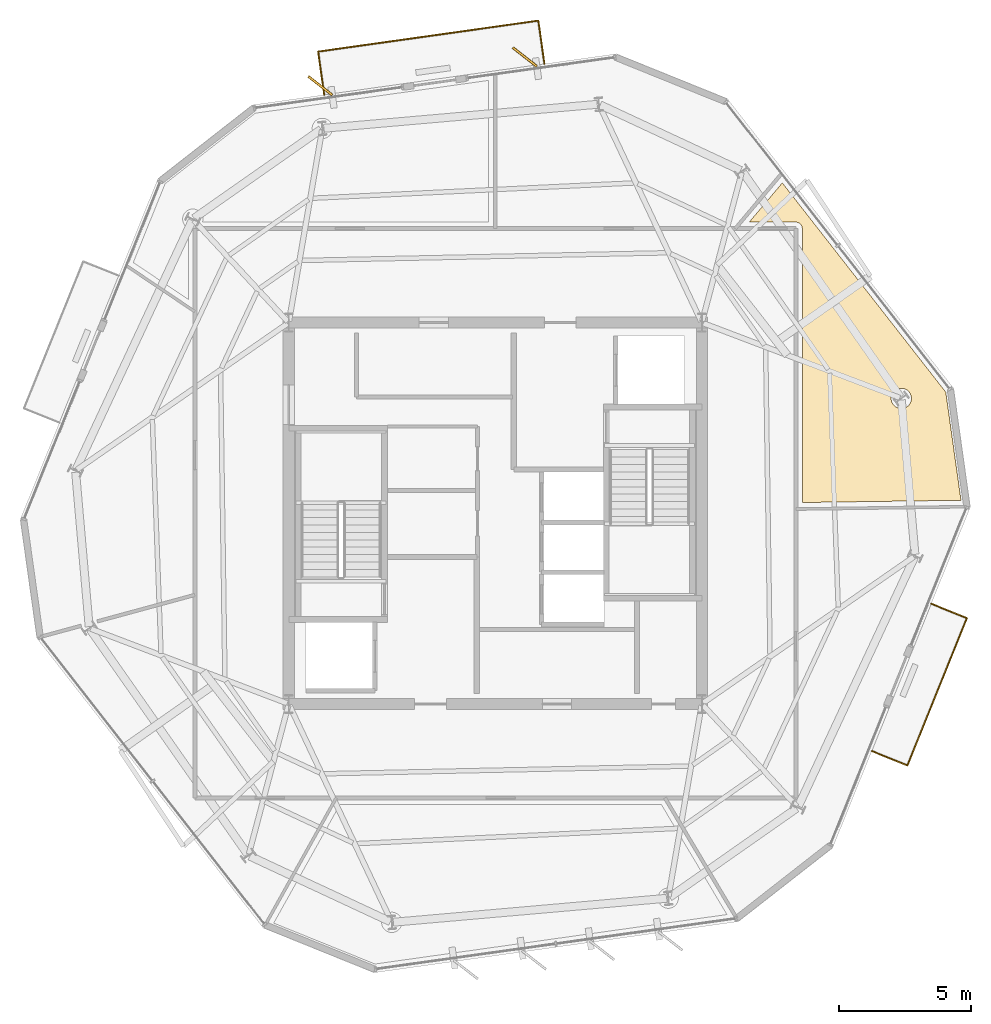
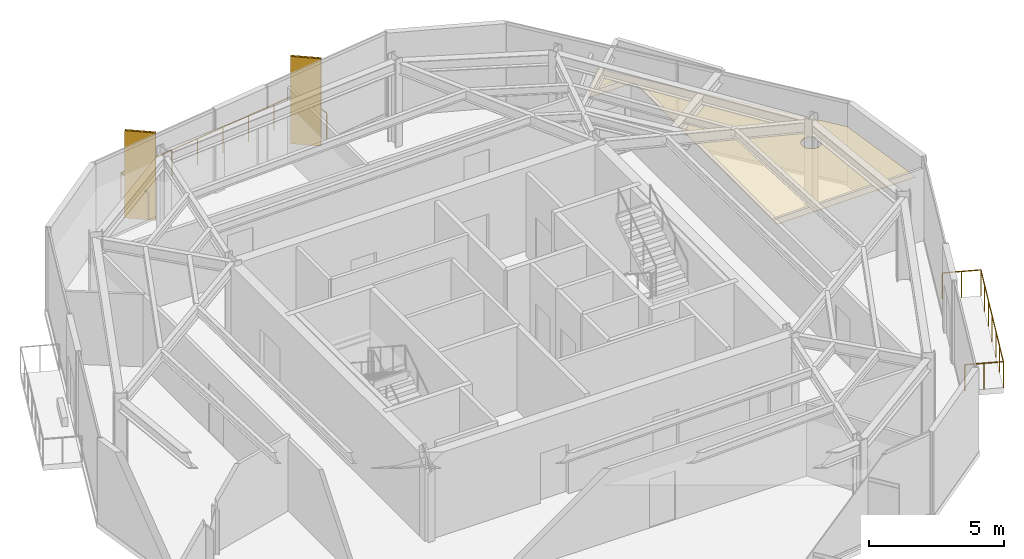
# One storey, part 11 of 11: 3 coverings, 2 railings, 2 shading devices.
"""IFC4 building model written with IfcOpenShell, lengths in metres."""

import ifcopenshell
import ifcopenshell.guid

model = None  # the IFC model being written
_history = None  # IfcOwnerHistory: only IFC2X3 demands one
_inside = {}  # id of a spatial element -> (the spatial element, [elements in it])
_under = {}  # id of a project, library or spatial element -> (it, [spatial elements below it])
_declared = {}  # id of a project -> (the project, [libraries it declares])
_typed = {}  # id of a type object -> (the type object, [elements of that type])
_made_of = {}  # id of a material, layer set ... -> (it, [elements and type objects made of it])


def new_model(schema):
    """Start an empty IFC model of exactly this schema.

    Asked for "IFC4X3", IfcOpenShell would pick the latest addendum, in which some entities
    have other attributes; the version numbers below select the first issue.
    IFC2X3 requires an IfcOwnerHistory on every rooted entity: one is made here for all.
    """
    global model, _history
    if schema == "IFC4X3":
        model = ifcopenshell.file(schema_version=(4, 3, 0, 0))
    else:
        model = ifcopenshell.file(schema=schema)
    _inside.clear()
    _under.clear()
    _declared.clear()
    _typed.clear()
    _made_of.clear()
    _history = None
    if model.schema == "IFC2X3":
        org = make("IfcOrganization", Name="unknown")
        user = make(
            "IfcPersonAndOrganization",
            ThePerson=make("IfcPerson", FamilyName="unknown"),
            TheOrganization=org,
        )
        app = make(
            "IfcApplication",
            ApplicationDeveloper=org,
            Version="unknown",
            ApplicationFullName="unknown",
            ApplicationIdentifier="unknown",
        )
        _history = make(
            "IfcOwnerHistory",
            OwningUser=user,
            OwningApplication=app,
            ChangeAction="ADDED",
            CreationDate=0,
        )
    return model


def make(cls, **values):
    """One entity of the class cls with the attributes given. An attribute that is None is left unset."""
    return model.create_entity(
        cls, **{name: value for name, value in values.items() if value is not None}
    )


def rooted(cls, **values):
    """An entity with a GlobalId (a new one), such as an element, a storey or a relation."""
    return make(cls, GlobalId=ifcopenshell.guid.new(), OwnerHistory=_history, **values)


def si_unit(unit_type, name, prefix=None):
    """IfcSIUnit, for example si_unit("LENGTHUNIT", "METRE", prefix="MILLI")."""
    return make("IfcSIUnit", UnitType=unit_type, Prefix=prefix, Name=name)


def assignment(units):
    """IfcUnitAssignment: the units of a project."""
    return None if units is None else make("IfcUnitAssignment", Units=units)


def point(xyz):
    """IfcCartesianPoint."""
    return None if xyz is None else make("IfcCartesianPoint", Coordinates=xyz)


def direction(xyz):
    """IfcDirection."""
    return None if xyz is None else make("IfcDirection", DirectionRatios=xyz)


def frame(location, z_axis=None, x_axis=None):
    """IfcAxis2Placement3D, a coordinate frame: its origin and axes. An axis left out is left unset."""
    return make(
        "IfcAxis2Placement3D",
        Location=point(location),
        Axis=direction(z_axis),
        RefDirection=direction(x_axis),
    )


def frame_2d(location, x_axis=None):
    """IfcAxis2Placement2D, a coordinate frame in the plane: its origin and x axis."""
    return make(
        "IfcAxis2Placement2D", Location=point(location), RefDirection=direction(x_axis)
    )


def origin():
    """The frame at (0, 0, 0) with its axes left unset."""
    return frame((0.0, 0.0, 0.0))


def origin_2d():
    """The frame at (0, 0) in the plane with its x axis left unset."""
    return frame_2d((0.0, 0.0))


def place(relative_to, where):
    """IfcLocalPlacement: puts the frame where relative to a parent placement (None: the world)."""
    return make(
        "IfcLocalPlacement", PlacementRelTo=relative_to, RelativePlacement=where
    )


def context(
    kind, dimensions, precision=None, world=None, true_north=None, identifier=None
):
    """IfcGeometricRepresentationContext, for example the 3D "Model" context."""
    return make(
        "IfcGeometricRepresentationContext",
        ContextIdentifier=identifier,
        ContextType=kind,
        CoordinateSpaceDimension=dimensions,
        Precision=precision,
        WorldCoordinateSystem=world,
        TrueNorth=true_north,
    )


def subcontext(parent, identifier, kind, view, scale=None):
    """IfcGeometricRepresentationSubContext, for example "Body" below "Model"."""
    return make(
        "IfcGeometricRepresentationSubContext",
        ContextIdentifier=identifier,
        ContextType=kind,
        ParentContext=parent,
        TargetScale=scale,
        TargetView=view,
    )


def project(units=None, contexts=None):
    """IfcProject with its units and contexts."""
    return rooted(
        "IfcProject",
        Name="project",
        RepresentationContexts=contexts,
        UnitsInContext=assignment(units),
    )


def spatial(cls, under=None, at=None, **own):
    """A site, building, storey or space (cls), placed at a placement, below another one or the project."""
    s = rooted(cls, ObjectPlacement=at, **own)
    if under is not None:
        _under.setdefault(under.id(), (under, []))[1].append(s)
    return s


def polyline(points):
    """IfcPolyline through the points."""
    return make("IfcPolyline", Points=[point(p) for p in points])


def profile(cls, at=None, kind="AREA", **sizes):
    """A parametric profile (cls). Its sizes go by their IFC names, for example OverallWidth=200.0."""
    return make(cls, ProfileType=kind, Position=at, **sizes)


def rectangle(**sizes):
    """IfcRectangleProfileDef."""
    return profile("IfcRectangleProfileDef", **sizes)


def circle(**sizes):
    """IfcCircleProfileDef."""
    return profile("IfcCircleProfileDef", **sizes)


def outline(outer, holes=None, kind="AREA"):
    """IfcArbitraryClosedProfileDef: a profile drawn as a closed curve; with holes, ...WithVoids."""
    if holes is None:
        return make("IfcArbitraryClosedProfileDef", ProfileType=kind, OuterCurve=outer)
    return make(
        "IfcArbitraryProfileDefWithVoids",
        ProfileType=kind,
        OuterCurve=outer,
        InnerCurves=holes,
    )


def extrude(swept, where, along, depth):
    """IfcExtrudedAreaSolid: the profile swept, set in the frame where, extruded along a direction by depth."""
    return make(
        "IfcExtrudedAreaSolid",
        SweptArea=swept,
        Position=where,
        ExtrudedDirection=direction(along),
        Depth=depth,
    )


def shape(context_of_items, identifier, shape_type, items):
    """IfcShapeRepresentation: the items that make up one representation, for example the "Body"."""
    return make(
        "IfcShapeRepresentation",
        ContextOfItems=context_of_items,
        RepresentationIdentifier=identifier,
        RepresentationType=shape_type,
        Items=items,
    )


def material(Name=None, Category=None):
    """IfcMaterial."""
    return make("IfcMaterial", Name=Name, Category=Category)


def layer(
    of_material, thickness, ventilated=None, Name=None, Category=None, Priority=None
):
    """IfcMaterialLayer: one layer of a wall or slab, of a material (None: an air gap)."""
    return make(
        "IfcMaterialLayer",
        Material=of_material,
        LayerThickness=thickness,
        IsVentilated=ventilated,
        Name=Name,
        Category=Category,
        Priority=Priority,
    )


def layer_set(layers, Name=None):
    """IfcMaterialLayerSet."""
    return make("IfcMaterialLayerSet", MaterialLayers=layers, LayerSetName=Name)


def made_of(thing, what):
    """Note that an element or type object is made of a material, layer set ...; save() writes the relation."""
    if what is not None:
        _made_of.setdefault(what.id(), (what, []))[1].append(thing)
    return thing


def type_object(cls, material=None, **own):
    """A type object (cls), such as IfcWallType, which elements share."""
    return made_of(rooted(cls, **own), material)


def element(
    cls,
    number,
    at=None,
    inside=None,
    cuts=None,
    type_object=None,
    material=None,
    context=None,
    identifier="Body",
    shape_type=None,
    held_by="IfcProductDefinitionShape",
    body=None,
    shapes=None,
    **own,
):
    """One element of the class cls, such as IfcWall. Its Tag is "e" and its number.

    at: its placement. inside: the storey or other place that contains it. cuts: it is an
    opening in that element (IfcRelVoidsElement). A single representation is given by context,
    identifier, shape_type and body (its items); several are given by shapes. held_by: the class
    of the entity that holds the representations. save() writes the other relations.
    """
    e = rooted(cls, Tag="e%d" % number, ObjectPlacement=at, **own)
    if body is not None:
        shapes = [shape(context, identifier, shape_type, body)]
    if shapes is not None:
        e.Representation = make(held_by, Representations=shapes)
    if inside is not None:
        _inside.setdefault(inside.id(), (inside, []))[1].append(e)
    if cuts is not None:
        rooted(
            "IfcRelVoidsElement", RelatingBuildingElement=cuts, RelatedOpeningElement=e
        )
    if type_object is not None:
        _typed.setdefault(type_object.id(), (type_object, []))[1].append(e)
    return made_of(e, material)


def aggregate(whole, parts):
    """IfcRelAggregates: a whole, such as a stair, and the parts it consists of."""
    return rooted("IfcRelAggregates", RelatingObject=whole, RelatedObjects=parts)


def save(model, path):
    """Write the relations noted so far, then the file.

    IfcRelAggregates (storeys below a building ...), IfcRelContainedInSpatialStructure (elements
    in a storey), IfcRelDefinesByType, IfcRelAssociatesMaterial and IfcRelDeclares: one each for
    every whole, place, type object, material and project.
    """
    for whole, parts in _under.values():
        aggregate(whole, parts)
    for where, things in _inside.values():
        rooted(
            "IfcRelContainedInSpatialStructure",
            RelatedElements=things,
            RelatingStructure=where,
        )
    for kind, things in _typed.values():
        rooted("IfcRelDefinesByType", RelatedObjects=things, RelatingType=kind)
    for what, things in _made_of.values():
        rooted("IfcRelAssociatesMaterial", RelatedObjects=things, RelatingMaterial=what)
    for by, libraries in _declared.values():
        rooted("IfcRelDeclares", RelatingContext=by, RelatedDefinitions=libraries)
    model.write(path)


model = new_model("IFC4")

# Units and contexts
model_context = context("Model", 3, precision=1e-05, world=origin(), true_north=direction((0.0, 1.0)))
body_context = subcontext(model_context, "Body", "Model", "MODEL_VIEW")
ifc_project = project(units=[si_unit("LENGTHUNIT", "METRE"), si_unit("AREAUNIT", "SQUARE_METRE"), si_unit("VOLUMEUNIT", "CUBIC_METRE"), si_unit("PLANEANGLEUNIT", "RADIAN"), si_unit("MASSUNIT", "GRAM", prefix="KILO")], contexts=[model_context])

# Site, building, storey
site_placement = place(None, origin())
site = spatial("IfcSite", under=ifc_project, at=site_placement, CompositionType="ELEMENT")
building_placement = place(site_placement, origin())
building = spatial("IfcBuilding", under=site, at=building_placement, Name="Kranzbogen Civic Tower", CompositionType="ELEMENT")
storey_placement = place(building_placement, frame((0.0, 0.0, 298.199951171875)))
storey = spatial("IfcBuildingStorey", under=building, at=storey_placement, Name="L72", CompositionType="ELEMENT", Elevation=298.199951171875)

# Coverings
ifc_material_1 = material(Name="Pale Anodised Aluminium", Category="aluminium")
ifc_layer_1 = layer(ifc_material_1, 0.02490234375, Name="Pale Anodised Aluminium")
ifc_layer_set_1 = layer_set([ifc_layer_1], Name="Pale Anodised Aluminium")
covering_type_1 = type_object("IfcCoveringType", Name="Anodised Aluminium Vertical Fin Cladding 25 mm", PredefinedType="CLADDING", material=ifc_layer_set_1)
for number, where, z_axis, x_axis, name in (
    (1, (26.112060546875, 42.236083984375, -0.139892578125), (0.0, 0.0, 1.0), (-0.788601383043, 0.614904755765, 0.0), "L72 vertical fin pale-metal cladding F1-1"),
    (2, (18.387939453125, 41.14990234375, -0.139892578125), (0.0, 0.0, 1.0), (-0.788601383043, 0.614904755765, 0.0), "L72 vertical fin pale-metal cladding F1-4"),
):
    element("IfcCovering", number, at=place(storey_placement, frame(where, z_axis=z_axis, x_axis=x_axis)), inside=storey, type_object=covering_type_1, Name=name, PredefinedType="CLADDING", context=body_context, shape_type="SweptSolid", body=[
        extrude(rectangle(XDim=1.14990234375, YDim=0.094970703125, at=origin_2d()), origin(), (0.0, 0.0, 1.0), 3.9599609375),
    ])

# Railings
ifc_material_2 = material(Name="Anodised Bronze Aluminium", Category="aluminium")
railing_type = type_object("IfcRailingType", Name="Cantilevered Balcony Glass and Bronze Balustrade 1200", PredefinedType="BALUSTRADE", material=ifc_material_2)
railing_1_placement = place(storey_placement, frame((39.220947265625, 16.01904296875, 0.0)))
element("IfcRailing", 3, at=railing_1_placement, inside=storey, type_object=railing_type, Name="L72 exterior terrace balustrade L72-TB1", PredefinedType="BALUSTRADE", context=body_context, shape_type="SweptSolid", body=[
    extrude(circle(Radius=0.02392578125, at=origin_2d()), frame((0.0, 0.0, 1.17578125), z_axis=(0.927193470061, -0.374582793354, 0.0), x_axis=(0.374582793354, 0.927193470061, 0.0)), (0.0, 0.0, 1.0), 1.449462890625),
    extrude(circle(Radius=0.02392578125, at=origin_2d()), frame((1.343994140625, -0.54296875, 1.17578125), z_axis=(0.374671599569, 0.927157587725, 0.0), x_axis=(-0.927157587725, 0.374671599569, 0.0)), (0.0, 0.0, 1.0), 6.0),
    extrude(circle(Radius=0.02392578125, at=origin_2d()), frame((3.592041015625, 5.02001953125, 1.17578125), z_axis=(-0.927193470061, 0.374582793354, 0.0), x_axis=(-0.374582793354, -0.927193470061, 0.0)), (0.0, 0.0, 1.0), 1.449462890625),
    extrude(circle(Radius=0.02099609375, at=origin_2d()), origin(), (0.0, 0.0, 1.0), 1.15185546875),
    extrude(circle(Radius=0.02099609375, at=origin_2d()), frame((0.671875, -0.271484375, 0.0)), (0.0, 0.0, 1.0), 1.15185546875),
    extrude(circle(Radius=0.02099609375, at=origin_2d()), frame((1.343994140625, -0.54296875, 0.0)), (0.0, 0.0, 1.0), 1.15185546875),
    extrude(circle(Radius=0.02099609375, at=origin_2d()), frame((1.71875, 0.38427734375, 0.0)), (0.0, 0.0, 1.0), 1.15185546875),
    extrude(circle(Radius=0.02099609375, at=origin_2d()), frame((2.09326171875, 1.311279296875, 0.0)), (0.0, 0.0, 1.0), 1.15185546875),
    extrude(circle(Radius=0.02099609375, at=origin_2d()), frame((2.468017578125, 2.238525390625, 0.0)), (0.0, 0.0, 1.0), 1.15185546875),
    extrude(circle(Radius=0.02099609375, at=origin_2d()), frame((2.8427734375, 3.165771484375, 0.0)), (0.0, 0.0, 1.0), 1.15185546875),
    extrude(circle(Radius=0.02099609375, at=origin_2d()), frame((3.21728515625, 4.0927734375, 0.0)), (0.0, 0.0, 1.0), 1.15185546875),
    extrude(circle(Radius=0.02099609375, at=origin_2d()), frame((3.592041015625, 5.02001953125, 0.0)), (0.0, 0.0, 1.0), 1.15185546875),
    extrude(circle(Radius=0.02099609375, at=origin_2d()), frame((2.919921875, 5.29150390625, 0.0)), (0.0, 0.0, 1.0), 1.15185546875),
    extrude(circle(Radius=0.02099609375, at=origin_2d()), frame((2.248046875, 5.56298828125, 0.0)), (0.0, 0.0, 1.0), 1.15185546875),
])
railing_2_placement = place(storey_placement, frame((26.85595703125, 41.972900390625, 0.0)))
element("IfcRailing", 4, at=railing_2_placement, inside=storey, type_object=railing_type, Name="L72 exterior terrace balustrade L72-ST", PredefinedType="BALUSTRADE", context=body_context, shape_type="SweptSolid", body=[
    extrude(circle(Radius=0.02392578125, at=origin_2d()), frame((0.0, 0.0, 1.17578125), z_axis=(-0.139370443126, 0.990240314057, 0.0), x_axis=(-0.990240314057, -0.139370443126, 0.0)), (0.0, 0.0, 1.0), 1.650146484375),
    extrude(circle(Radius=0.02392578125, at=origin_2d()), frame((-0.22998046875, 1.634033203125, 1.17578125), z_axis=(-0.990268974986, -0.139166652546, 0.0), x_axis=(0.139166652546, -0.990268974986, 0.0)), (0.0, 0.0, 1.0), 8.399658203125),
    extrude(circle(Radius=0.02392578125, at=origin_2d()), frame((-8.5478515625, 0.465087890625, 1.17578125), z_axis=(0.139370443126, -0.990240314057, 0.0), x_axis=(0.990240314057, 0.139370443126, 0.0)), (0.0, 0.0, 1.0), 1.650146484375),
    extrude(circle(Radius=0.02099609375, at=origin_2d()), origin(), (0.0, 0.0, 1.0), 1.15185546875),
    extrude(circle(Radius=0.02099609375, at=origin_2d()), frame((-0.114990234375, 0.81689453125, 0.0)), (0.0, 0.0, 1.0), 1.15185546875),
    extrude(circle(Radius=0.02099609375, at=origin_2d()), frame((-0.22998046875, 1.634033203125, 0.0)), (0.0, 0.0, 1.0), 1.15185546875),
    extrude(circle(Radius=0.02099609375, at=origin_2d()), frame((-1.418212890625, 1.467041015625, 0.0)), (0.0, 0.0, 1.0), 1.15185546875),
    extrude(circle(Radius=0.02099609375, at=origin_2d()), frame((-2.6064453125, 1.300048828125, 0.0)), (0.0, 0.0, 1.0), 1.15185546875),
    extrude(circle(Radius=0.02099609375, at=origin_2d()), frame((-3.794677734375, 1.133056640625, 0.0)), (0.0, 0.0, 1.0), 1.15185546875),
    extrude(circle(Radius=0.02099609375, at=origin_2d()), frame((-4.983154296875, 0.966064453125, 0.0)), (0.0, 0.0, 1.0), 1.15185546875),
    extrude(circle(Radius=0.02099609375, at=origin_2d()), frame((-6.17138671875, 0.799072265625, 0.0)), (0.0, 0.0, 1.0), 1.15185546875),
    extrude(circle(Radius=0.02099609375, at=origin_2d()), frame((-7.359619140625, 0.632080078125, 0.0)), (0.0, 0.0, 1.0), 1.15185546875),
    extrude(circle(Radius=0.02099609375, at=origin_2d()), frame((-8.5478515625, 0.465087890625, 0.0)), (0.0, 0.0, 1.0), 1.15185546875),
    extrude(circle(Radius=0.02099609375, at=origin_2d()), frame((-8.432861328125, -0.35205078125, 0.0)), (0.0, 0.0, 1.0), 1.15185546875),
    extrude(circle(Radius=0.02099609375, at=origin_2d()), frame((-8.31787109375, -1.1689453125, 0.0)), (0.0, 0.0, 1.0), 1.15185546875),
])

# Shading devices
shading_device_type = type_object("IfcShadingDeviceType", Name="Pale Anodised Aluminium Crown Fin 1150x75", PredefinedType="USERDEFINED", material=ifc_material_1)
for number, where, z_axis, x_axis, name in (
    (5, (26.112060546875, 42.236083984375, -0.139892578125), (0.0, 0.0, 1.0), (-0.788601383043, 0.614904755765, 0.0), "L72 vertical exterior shading fin F1-1"),
    (6, (18.387939453125, 41.14990234375, -0.139892578125), (0.0, 0.0, 1.0), (-0.788601383043, 0.614904755765, 0.0), "L72 vertical exterior shading fin F1-4"),
):
    element("IfcShadingDevice", number, at=place(storey_placement, frame(where, z_axis=z_axis, x_axis=x_axis)), inside=storey, type_object=shading_device_type, Name=name, ObjectType="FIN", PredefinedType="USERDEFINED", context=body_context, shape_type="SweptSolid", body=[
        extrude(rectangle(XDim=1.14990234375, YDim=0.074951171875, at=origin_2d()), origin(), (0.0, 0.0, 1.0), 3.9599609375),
    ])

# Covering
ifc_material_3 = material(Name="Perforated Acoustic Gypsum Ceiling")
ifc_layer_2 = layer(ifc_material_3, 0.02490234375, Name="Perforated Acoustic Gypsum Ceiling")
ifc_layer_set_2 = layer_set([ifc_layer_2], Name="Perforated Acoustic Gypsum Ceiling")
covering_type_2 = type_object("IfcCoveringType", Name="Perforated Acoustic Mineral Ceiling Tile 25 mm", PredefinedType="CEILING", material=ifc_layer_set_2)
covering_placement = place(storey_placement, frame((0.0, 0.0, 2.75)))
element("IfcCovering", 7, at=covering_placement, inside=storey, type_object=covering_type_2, Name="L72 Operations Security Control Room acoustic ceiling", PredefinedType="CEILING", context=body_context, shape_type="SweptSolid", body=[
    extrude(outline(polyline([(42.589111328125, 25.490966796875), (36.594970703125, 25.406982421875), (36.594970703125, 35.75), (36.594970703125, 35.759033203125), (36.593994140625, 35.764892578125), (36.593017578125, 35.782958984375), (36.592041015625, 35.7890625), (36.587890625, 35.805908203125), (36.5869140625, 35.81298828125), (36.58203125, 35.830078125), (36.580078125, 35.8359375), (36.572998046875, 35.85205078125), (36.570068359375, 35.85791015625), (36.56201171875, 35.873046875), (36.55810546875, 35.87890625), (36.549072265625, 35.89306640625), (36.544921875, 35.89794921875), (36.533935546875, 35.912109375), (36.529052734375, 35.9169921875), (36.51708984375, 35.928955078125), (36.511962890625, 35.93408203125), (36.498046875, 35.945068359375), (36.492919921875, 35.948974609375), (36.47900390625, 35.9580078125), (36.472900390625, 35.9619140625), (36.4580078125, 35.969970703125), (36.451904296875, 35.972900390625), (36.43603515625, 35.97998046875), (36.429931640625, 35.98193359375), (36.4130859375, 35.987060546875), (36.406005859375, 35.988037109375), (36.388916015625, 35.991943359375), (36.383056640625, 35.992919921875), (36.364990234375, 35.993896484375), (36.35888671875, 35.9951171875), (36.35009765625, 35.9951171875), (34.589111328125, 35.9951171875), (35.840087890625, 37.47900390625), (42.014892578125, 29.575927734375), (42.589111328125, 25.490966796875)]), holes=[polyline([(40.68798828125, 29.19189453125), (40.672119140625, 29.157958984375), (40.653076171875, 29.1259765625), (40.6298828125, 29.095947265625), (40.60498046875, 29.068115234375), (40.576904296875, 29.04296875), (40.547119140625, 29.02001953125), (40.514892578125, 29.0009765625), (40.48095703125, 28.985107421875), (40.445068359375, 28.971923828125), (40.408935546875, 28.962890625), (40.3720703125, 28.95703125), (40.333984375, 28.9560546875), (40.2958984375, 28.95703125), (40.259033203125, 28.962890625), (40.222900390625, 28.971923828125), (40.18701171875, 28.985107421875), (40.153076171875, 29.0009765625), (40.12109375, 29.02001953125), (40.091064453125, 29.04296875), (40.06298828125, 29.068115234375), (40.0380859375, 29.095947265625), (40.014892578125, 29.1259765625), (39.99609375, 29.157958984375), (39.97998046875, 29.19189453125), (39.967041015625, 29.22802734375), (39.9580078125, 29.263916015625), (39.951904296875, 29.301025390625), (39.950927734375, 29.339111328125), (39.951904296875, 29.376953125), (39.9580078125, 29.4140625), (39.967041015625, 29.449951171875), (39.97998046875, 29.486083984375), (39.99609375, 29.52001953125), (40.014892578125, 29.552001953125), (40.0380859375, 29.58203125), (40.06298828125, 29.610107421875), (40.091064453125, 29.635009765625), (40.12109375, 29.657958984375), (40.153076171875, 29.677001953125), (40.18701171875, 29.693115234375), (40.222900390625, 29.7060546875), (40.259033203125, 29.715087890625), (40.2958984375, 29.720947265625), (40.333984375, 29.721923828125), (40.3720703125, 29.720947265625), (40.408935546875, 29.715087890625), (40.445068359375, 29.7060546875), (40.48095703125, 29.693115234375), (40.514892578125, 29.677001953125), (40.547119140625, 29.657958984375), (40.576904296875, 29.635009765625), (40.60498046875, 29.610107421875), (40.6298828125, 29.58203125), (40.653076171875, 29.552001953125), (40.672119140625, 29.52001953125), (40.68798828125, 29.486083984375), (40.700927734375, 29.449951171875), (40.7099609375, 29.4140625), (40.716064453125, 29.376953125), (40.717041015625, 29.339111328125), (40.716064453125, 29.301025390625), (40.7099609375, 29.263916015625), (40.700927734375, 29.22802734375), (40.68798828125, 29.19189453125)])]), origin(), (0.0, 0.0, 1.0), 0.025146484375),
])

save(model, "model.ifc")
